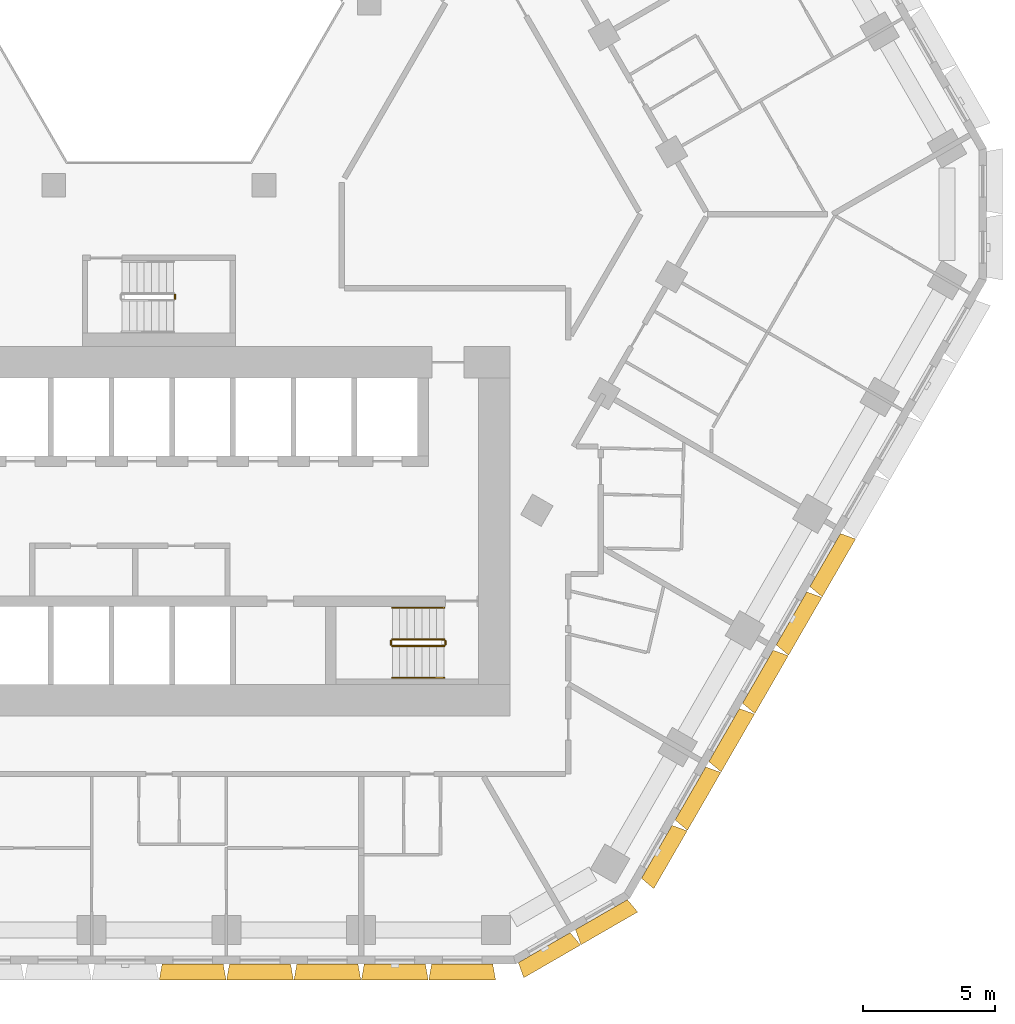
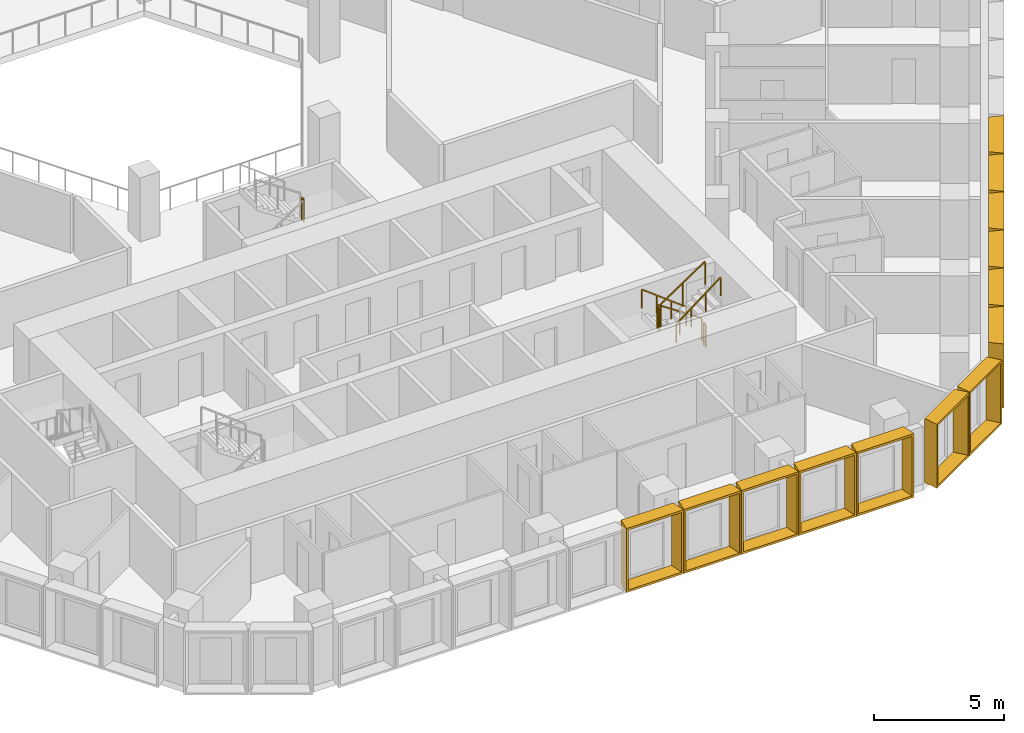
# One storey, part 20 of 21: 13 shading devices, 7 railings.
"""IFC4 building model written with IfcOpenShell, lengths in metres."""

from ifc_helpers import new_model, entity, si_unit, direction, frame, origin, origin_2d, place, context, subcontext, project, spatial, rectangle, extrude, source, transform, mapped, material, type_object, type_shapes, element, save


model = new_model("IFC4")

# Units and contexts
model_context = context("Model", 3, precision=1e-05, world=origin(), true_north=direction((0.0, 1.0)))
body_context = subcontext(model_context, "Body", "Model", "MODEL_VIEW")
ifc_project = project(units=[si_unit("LENGTHUNIT", "METRE"), si_unit("AREAUNIT", "SQUARE_METRE"), si_unit("VOLUMEUNIT", "CUBIC_METRE"), si_unit("PLANEANGLEUNIT", "RADIAN"), si_unit("MASSUNIT", "GRAM", prefix="KILO")], contexts=[model_context])

# Site, building, storey
site_placement = place(None, origin())
site = spatial("IfcSite", under=ifc_project, at=site_placement, CompositionType="ELEMENT")
building_placement = place(site_placement, origin())
building = spatial("IfcBuilding", under=site, at=building_placement, Name="Beryl Residences", CompositionType="ELEMENT")
storey_placement = place(building_placement, frame((0.0, 0.0, 41.39990234375)))
storey = spatial("IfcBuildingStorey", under=building, at=storey_placement, Name="L12", CompositionType="ELEMENT", Elevation=41.39990234375)

# Shading devices
ifc_material_1 = material(Name="Aluminium pale anodised", Category="aluminium")
shading_device_type_1 = type_object("IfcShadingDeviceType", Name="FR250-60A OUTER SKIN frame 600 mm deep, splay 10/10 deg, 2500 x 3000 mm cell", PredefinedType="USERDEFINED", material=ifc_material_1)
cartesian_point_1 = entity("IfcCartesianPoint", [-1.134033203125, 0.0])
cartesian_point_2 = entity("IfcCartesianPoint", [-1.052734375, 0.10009765625])
cartesian_point_3 = entity("IfcCartesianPoint", [-1.23974609375, 0.0])
cartesian_point_4 = entity("IfcCartesianPoint", [-1.158447265625, 0.10009765625])
shared_shape_1 = source(origin(), body_context, "Body", "SweptSolid", [
    entity("IfcExtrudedAreaSolidTapered", entity("IfcArbitraryProfileDefWithVoids", "AREA", None, entity("IfcPolyline", [cartesian_point_1, entity("IfcCartesianPoint", [1.134033203125, 0.0]), entity("IfcCartesianPoint", [1.134033203125, 3.0]), entity("IfcCartesianPoint", [-1.134033203125, 3.0]), cartesian_point_1]), [entity("IfcPolyline", [cartesian_point_2, entity("IfcCartesianPoint", [1.052734375, 0.10009765625]), entity("IfcCartesianPoint", [1.052734375, 2.89990234375]), entity("IfcCartesianPoint", [-1.052734375, 2.89990234375]), cartesian_point_2])]), entity("IfcAxis2Placement3D", entity("IfcCartesianPoint", [0.0, 0.0, 0.0]), entity("IfcDirection", [0.0, 1.0, 0.0]), entity("IfcDirection", [-1.0, 0.0, 0.0])), entity("IfcDirection", [0.0, 0.0, 1.0]), 0.60009765625, entity("IfcArbitraryProfileDefWithVoids", "AREA", None, entity("IfcPolyline", [cartesian_point_3, entity("IfcCartesianPoint", [1.23974609375, 0.0]), entity("IfcCartesianPoint", [1.23974609375, 3.0]), entity("IfcCartesianPoint", [-1.23974609375, 3.0]), cartesian_point_3]), [entity("IfcPolyline", [cartesian_point_4, entity("IfcCartesianPoint", [1.158447265625, 0.10009765625]), entity("IfcCartesianPoint", [1.158447265625, 2.89990234375]), entity("IfcCartesianPoint", [-1.158447265625, 2.89990234375]), cartesian_point_4])])),
])
type_shapes(shading_device_type_1, [shared_shape_1])
for number, where, z_axis, x_axis, name in (
    (1, (14.593017578125, -27.77490234375, 0.0), (0.0, 0.0, 1.0), (-0.866025403784, -0.5, 0.0), "FR250-60A frame L12 S-SE 1"),
    (2, (16.758056640625, -26.52490234375, 0.0), (0.0, 0.0, 1.0), (-0.866025403784, -0.5, 0.0), "FR250-60A frame L12 S-SE 2"),
):
    element("IfcShadingDevice", number, at=place(storey_placement, frame(where, z_axis=z_axis, x_axis=x_axis)), inside=storey, type_object=shading_device_type_1, Name=name, ObjectType="OUTER SKIN", PredefinedType="USERDEFINED", context=body_context, shape_type="MappedRepresentation", body=[
        mapped(shared_shape_1, transform((0.0, 0.0, 0.0))),
    ])
ifc_material_2 = material(Name="Aluminium pale anodised", Category="aluminium")
shading_device_type_2 = type_object("IfcShadingDeviceType", Name="FR255-60A OUTER SKIN frame 600 mm deep, splay 10/10 deg, 2550 x 3000 mm cell", PredefinedType="USERDEFINED", material=ifc_material_2)
cartesian_point_5 = entity("IfcCartesianPoint", [-1.158935546875, 0.0])
cartesian_point_6 = entity("IfcCartesianPoint", [-1.077880859375, 0.10009765625])
cartesian_point_7 = entity("IfcCartesianPoint", [-1.264892578125, 0.0])
cartesian_point_8 = entity("IfcCartesianPoint", [-1.18359375, 0.10009765625])
shared_shape_2 = source(origin(), body_context, "Body", "SweptSolid", [
    entity("IfcExtrudedAreaSolidTapered", entity("IfcArbitraryProfileDefWithVoids", "AREA", None, entity("IfcPolyline", [cartesian_point_5, entity("IfcCartesianPoint", [1.158935546875, 0.0]), entity("IfcCartesianPoint", [1.158935546875, 3.0]), entity("IfcCartesianPoint", [-1.158935546875, 3.0]), cartesian_point_5]), [entity("IfcPolyline", [cartesian_point_6, entity("IfcCartesianPoint", [1.077880859375, 0.10009765625]), entity("IfcCartesianPoint", [1.077880859375, 2.89990234375]), entity("IfcCartesianPoint", [-1.077880859375, 2.89990234375]), cartesian_point_6])]), entity("IfcAxis2Placement3D", entity("IfcCartesianPoint", [0.0, 0.0, 0.0]), entity("IfcDirection", [0.0, 1.0, 0.0]), entity("IfcDirection", [-1.0, 0.0, 0.0])), entity("IfcDirection", [0.0, 0.0, 1.0]), 0.60009765625, entity("IfcArbitraryProfileDefWithVoids", "AREA", None, entity("IfcPolyline", [cartesian_point_7, entity("IfcCartesianPoint", [1.264892578125, 0.0]), entity("IfcCartesianPoint", [1.264892578125, 3.0]), entity("IfcCartesianPoint", [-1.264892578125, 3.0]), cartesian_point_7]), [entity("IfcPolyline", [cartesian_point_8, entity("IfcCartesianPoint", [1.18359375, 0.10009765625]), entity("IfcCartesianPoint", [1.18359375, 2.89990234375]), entity("IfcCartesianPoint", [-1.18359375, 2.89990234375]), cartesian_point_8])])),
])
type_shapes(shading_device_type_2, [shared_shape_2])
for number, where, z_axis, x_axis, name in (
    (3, (1.277099609375, -28.39990234375, 0.0), (0.0, 0.0, 1.0), (-1.0, 0.0, 0.0), "FR255-60A frame L12 S 6"),
    (4, (3.8291015625, -28.39990234375, 0.0), (0.0, 0.0, 1.0), (-1.0, 0.0, 0.0), "FR255-60A frame L12 S 7"),
    (5, (6.381103515625, -28.39990234375, 0.0), (0.0, 0.0, 1.0), (-1.0, 0.0, 0.0), "FR255-60A frame L12 S 8"),
    (6, (8.93310546875, -28.39990234375, 0.0), (0.0, 0.0, 1.0), (-1.0, 0.0, 0.0), "FR255-60A frame L12 S 9"),
    (7, (11.485107421875, -28.39990234375, 0.0), (0.0, 0.0, 1.0), (-1.0, 0.0, 0.0), "FR255-60A frame L12 S 10"),
    (8, (18.85400390625, -24.14501953125, 0.0), (0.0, 0.0, 1.0), (-0.5, -0.866025403784, 0.0), "FR255-60A frame L12 SE 1"),
    (9, (20.1298828125, -21.93505859375, 0.0), (0.0, 0.0, 1.0), (-0.5, -0.866025403784, 0.0), "FR255-60A frame L12 SE 2"),
    (10, (21.406005859375, -19.72412109375, 0.0), (0.0, 0.0, 1.0), (-0.5, -0.866025403784, 0.0), "FR255-60A frame L12 SE 3"),
    (11, (22.681884765625, -17.513916015625, 0.0), (0.0, 0.0, 1.0), (-0.5, -0.866025403784, 0.0), "FR255-60A frame L12 SE 4"),
    (12, (23.9580078125, -15.303955078125, 0.0), (0.0, 0.0, 1.0), (-0.5, -0.866025403784, 0.0), "FR255-60A frame L12 SE 5"),
    (13, (25.23291015625, -13.093994140625, 0.0), (0.0, 0.0, 1.0), (-0.5, -0.866025403784, 0.0), "FR255-60A frame L12 SE 6"),
):
    element("IfcShadingDevice", number, at=place(storey_placement, frame(where, z_axis=z_axis, x_axis=x_axis)), inside=storey, type_object=shading_device_type_2, Name=name, ObjectType="OUTER SKIN", PredefinedType="USERDEFINED", context=body_context, shape_type="MappedRepresentation", body=[
        mapped(shared_shape_2, transform((0.0, 0.0, 0.0))),
    ])

# Railings
ifc_material_3 = material(Name="Stainless steel balustrade with glass infill", Category="steel")
railing_type_1 = type_object("IfcRailingType", Name="SG1 stair guard 1100 mm", PredefinedType="GUARDRAIL", material=ifc_material_3)
railing_1_placement = place(storey_placement, frame((10.800048828125, -16.10009765625, 0.1875)))
element("IfcRailing", 14, at=railing_1_placement, inside=storey, type_object=railing_type_1, Name="L12 ST-3 stair guard 1", PredefinedType="GUARDRAIL", context=body_context, shape_type="SweptSolid", body=[
    extrude(rectangle(XDim=0.048095703125, YDim=0.048095703125, at=origin_2d()), frame((0.0, 0.0, 1.076171875), z_axis=(-0.830902050051, 0.0, 0.556418712142), x_axis=(0.0, -1.0, 0.0)), (0.0, 0.0, 1.0), 2.35888671875),
    extrude(rectangle(XDim=0.0419921875, YDim=0.0419921875, at=origin_2d()), origin(), (0.0, 0.0, 1.0), 1.052001953125),
    extrude(rectangle(XDim=0.0419921875, YDim=0.0419921875, at=origin_2d()), frame((-0.97998046875, 0.0, 0.65625)), (0.0, 0.0, 1.0), 1.052001953125),
    extrude(rectangle(XDim=0.0419921875, YDim=0.0419921875, at=origin_2d()), frame((-1.9599609375, 0.0, 1.3125)), (0.0, 0.0, 1.0), 1.052001953125),
])
railing_2_placement = place(storey_placement, frame((8.7900390625, -16.14990234375, 1.5)))
element("IfcRailing", 15, at=railing_2_placement, inside=storey, type_object=railing_type_1, Name="L12 ST-3 stair guard 2", PredefinedType="GUARDRAIL", context=body_context, shape_type="SweptSolid", body=[
    extrude(rectangle(XDim=0.048095703125, YDim=0.048095703125, at=origin_2d()), frame((0.0, 0.0, 1.076171875), z_axis=(0.0, -1.0, 0.0), x_axis=(1.0, 0.0, 0.0)), (0.0, 0.0, 1.0), 0.150146484375),
    extrude(rectangle(XDim=0.0419921875, YDim=0.0419921875, at=origin_2d()), origin(), (0.0, 0.0, 1.0), 1.052001953125),
    extrude(rectangle(XDim=0.0419921875, YDim=0.0419921875, at=origin_2d()), frame((0.0, -0.150146484375, 0.0)), (0.0, 0.0, 1.0), 1.052001953125),
])
railing_3_placement = place(storey_placement, frame((8.840087890625, -16.35009765625, 1.6875)))
element("IfcRailing", 16, at=railing_3_placement, inside=storey, type_object=railing_type_1, Name="L12 ST-3 stair guard 3", PredefinedType="GUARDRAIL", context=body_context, shape_type="SweptSolid", body=[
    extrude(rectangle(XDim=0.048095703125, YDim=0.048095703125, at=origin_2d()), frame((0.0, 0.0, 1.076171875), z_axis=(0.830902050051, 0.0, 0.556418712142), x_axis=(0.0, 1.0, 0.0)), (0.0, 0.0, 1.0), 2.35888671875),
    extrude(rectangle(XDim=0.0419921875, YDim=0.0419921875, at=origin_2d()), origin(), (0.0, 0.0, 1.0), 1.052001953125),
    extrude(rectangle(XDim=0.0419921875, YDim=0.0419921875, at=origin_2d()), frame((0.97998046875, 0.0, 0.65625)), (0.0, 0.0, 1.0), 1.052001953125),
    extrude(rectangle(XDim=0.0419921875, YDim=0.0419921875, at=origin_2d()), frame((1.9599609375, 0.0, 1.3125)), (0.0, 0.0, 1.0), 1.052001953125),
])
railing_4_placement = place(storey_placement, frame((10.85009765625, -16.14990234375, 0.0)))
element("IfcRailing", 17, at=railing_4_placement, inside=storey, type_object=railing_type_1, Name="L12 ST-3 stair guard 4", PredefinedType="GUARDRAIL", context=body_context, shape_type="SweptSolid", body=[
    extrude(rectangle(XDim=0.048095703125, YDim=0.048095703125, at=origin_2d()), frame((0.0, 0.0, 1.076171875), z_axis=(0.0, -1.0, 0.0), x_axis=(1.0, 0.0, 0.0)), (0.0, 0.0, 1.0), 0.150146484375),
    extrude(rectangle(XDim=0.0419921875, YDim=0.0419921875, at=origin_2d()), origin(), (0.0, 0.0, 1.0), 1.052001953125),
    extrude(rectangle(XDim=0.0419921875, YDim=0.0419921875, at=origin_2d()), frame((0.0, -0.150146484375, 0.0)), (0.0, 0.0, 1.0), 1.052001953125),
])
railing_5_placement = place(storey_placement, frame((0.610107421875, -3.199951171875, 1.5)))
element("IfcRailing", 18, at=railing_5_placement, inside=storey, type_object=railing_type_1, Name="L12 ST-4 stair guard 2", PredefinedType="GUARDRAIL", context=body_context, shape_type="SweptSolid", body=[
    extrude(rectangle(XDim=0.048095703125, YDim=0.048095703125, at=origin_2d()), frame((0.0, 0.0, 1.076171875), z_axis=(0.0, 1.0, 0.0), x_axis=(-1.0, 0.0, 0.0)), (0.0, 0.0, 1.0), 0.14990234375),
    extrude(rectangle(XDim=0.0419921875, YDim=0.0419921875, at=origin_2d()), origin(), (0.0, 0.0, 1.0), 1.052001953125),
    extrude(rectangle(XDim=0.0419921875, YDim=0.0419921875, at=origin_2d()), frame((0.0, 0.14990234375, 0.0)), (0.0, 0.0, 1.0), 1.052001953125),
])
ifc_material_4 = material(Name="Stainless steel handrail", Category="steel")
railing_type_2 = type_object("IfcRailingType", Name="SRL1 stair handrail 900 mm", PredefinedType="HANDRAIL", material=ifc_material_4)
railing_6_placement = place(storey_placement, frame((10.800048828125, -14.89990234375, 0.1875)))
element("IfcRailing", 19, at=railing_6_placement, inside=storey, type_object=railing_type_2, Name="L12 ST-3 stair handrail 1", PredefinedType="HANDRAIL", context=body_context, shape_type="SweptSolid", body=[
    extrude(rectangle(XDim=0.048095703125, YDim=0.048095703125, at=origin_2d()), frame((0.0, 0.0, 0.8759765625), z_axis=(-0.794121922505, 0.0, 0.607758481798), x_axis=(0.0, -1.0, 0.0)), (0.0, 0.0, 1.0), 2.468017578125),
    extrude(rectangle(XDim=0.0419921875, YDim=0.0419921875, at=origin_2d()), origin(), (0.0, 0.0, 1.0), 0.851806640625),
    extrude(rectangle(XDim=0.0419921875, YDim=0.0419921875, at=origin_2d()), frame((-0.6533203125, 0.0, 0.5)), (0.0, 0.0, 1.0), 0.851806640625),
    extrude(rectangle(XDim=0.0419921875, YDim=0.0419921875, at=origin_2d()), frame((-1.306640625, 0.0, 1.0)), (0.0, 0.0, 1.0), 0.851806640625),
    extrude(rectangle(XDim=0.0419921875, YDim=0.0419921875, at=origin_2d()), frame((-1.9599609375, 0.0, 1.5)), (0.0, 0.0, 1.0), 0.851806640625),
])
railing_7_placement = place(storey_placement, frame((8.840087890625, -17.550048828125, 1.6875)))
element("IfcRailing", 20, at=railing_7_placement, inside=storey, type_object=railing_type_2, Name="L12 ST-3 stair handrail 2", PredefinedType="HANDRAIL", context=body_context, shape_type="SweptSolid", body=[
    extrude(rectangle(XDim=0.048095703125, YDim=0.048095703125, at=origin_2d()), frame((0.0, 0.0, 0.8759765625), z_axis=(0.794121922505, 0.0, 0.607758481798), x_axis=(0.0, 1.0, 0.0)), (0.0, 0.0, 1.0), 2.468017578125),
    extrude(rectangle(XDim=0.0419921875, YDim=0.0419921875, at=origin_2d()), origin(), (0.0, 0.0, 1.0), 0.851806640625),
    extrude(rectangle(XDim=0.0419921875, YDim=0.0419921875, at=origin_2d()), frame((0.6533203125, 0.0, 0.5)), (0.0, 0.0, 1.0), 0.851806640625),
    extrude(rectangle(XDim=0.0419921875, YDim=0.0419921875, at=origin_2d()), frame((1.306640625, 0.0, 1.0)), (0.0, 0.0, 1.0), 0.851806640625),
    extrude(rectangle(XDim=0.0419921875, YDim=0.0419921875, at=origin_2d()), frame((1.9599609375, 0.0, 1.5)), (0.0, 0.0, 1.0), 0.851806640625),
])

save(model, "model.ifc")
